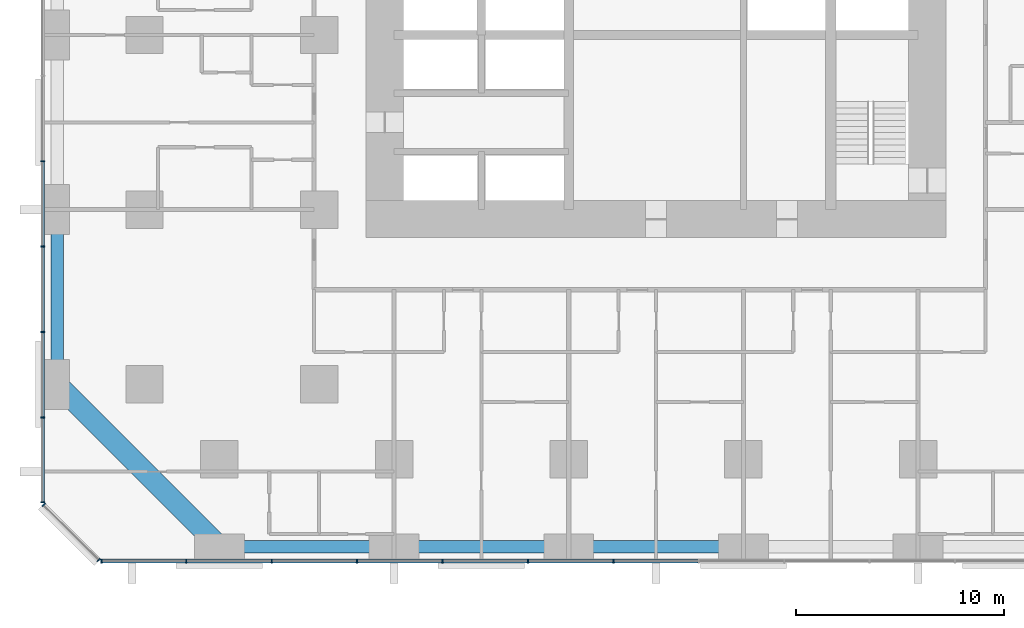
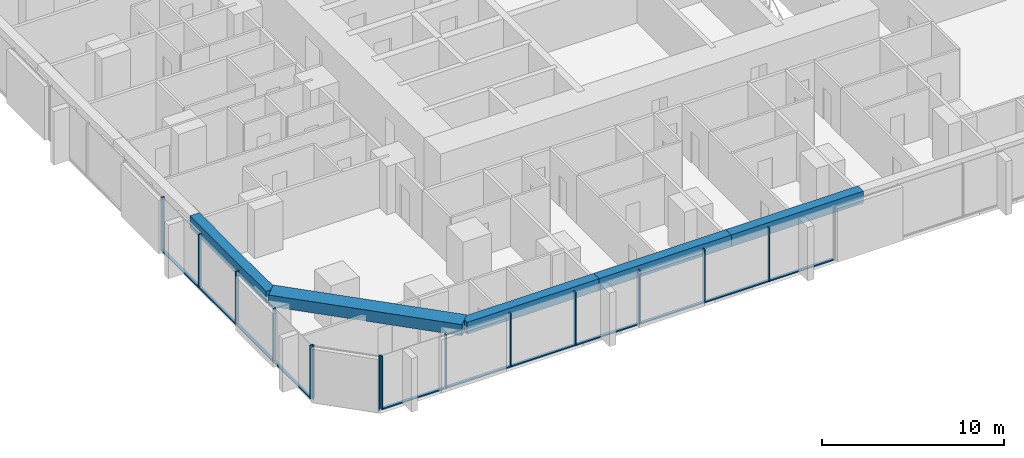
# One storey, part 2 of 17: 25 members, 5 beams, 3 elements without a shape of their own.
"""IFC4 building model written with IfcOpenShell, lengths in metres."""

from ifc_helpers import new_model, si_unit, direction, frame, origin, origin_2d, place, context, subcontext, project, spatial, rectangle, extrude, material, material_profile, profile_set, type_object, element, aggregate, save


model = new_model("IFC4")

# Units and contexts
model_context = context("Model", 3, precision=1e-05, world=origin(), true_north=direction((0.0, 1.0)))
body_context = subcontext(model_context, "Body", "Model", "MODEL_VIEW")
ifc_project = project(units=[si_unit("LENGTHUNIT", "METRE"), si_unit("AREAUNIT", "SQUARE_METRE"), si_unit("VOLUMEUNIT", "CUBIC_METRE"), si_unit("PLANEANGLEUNIT", "RADIAN"), si_unit("MASSUNIT", "GRAM", prefix="KILO")], contexts=[model_context])

# Site, building, storey
site_placement = place(None, origin())
site = spatial("IfcSite", under=ifc_project, at=site_placement, CompositionType="ELEMENT")
building_placement = place(site_placement, origin())
building = spatial("IfcBuilding", under=site, at=building_placement, Name="Dunama Terrace Hotel", CompositionType="ELEMENT")
storey_placement = place(building_placement, frame((0.0, 0.0, 45.0)))
storey = spatial("IfcBuildingStorey", under=building, at=storey_placement, Name="L10", CompositionType="ELEMENT", Elevation=45.0)

# Curtain wall, members
ifc_material_1 = material(Name="Aluminium curtain wall system", Category="aluminium")
curtain_wall_type = type_object("IfcCurtainWallType", Name="Unitised fritted glass wall CW-A", PredefinedType="NOTDEFINED", material=ifc_material_1)
curtain_wall_1_placement = place(storey_placement, origin())
curtain_wall_1 = element("IfcCurtainWall", 1, at=curtain_wall_1_placement, inside=storey, type_object=curtain_wall_type, Name="Unitised fritted glass wall CW-A L10", PredefinedType="NOTDEFINED")
ifc_material_2 = material(Name="Aluminium mullion", Category="aluminium")
ifc_material_profile_1 = material_profile(ifc_material_2, rectangle(XDim=0.06494140625, YDim=0.199951171875, at=origin_2d()), Name="CWA MULLION 65X200")
ifc_profile_set_1 = profile_set([ifc_material_profile_1], Name="Aluminium mullion")
member_type_1 = type_object("IfcMemberType", Name="CWA mullion 65x200", PredefinedType="MULLION", material=ifc_profile_set_1)
member_1_placement = place(storey_placement, frame((2.73291015625, -0.10009765625, 0.0), z_axis=(0.0, 0.0, 1.0), x_axis=(1.0, 0.0, 0.0)))
member_1 = element("IfcMember", 2, at=member_1_placement, type_object=member_type_1, Name="CWA mullion", PredefinedType="MULLION", context=body_context, shape_type="SweptSolid", body=[
    extrude(rectangle(XDim=0.06494140625, YDim=0.199951171875, at=origin_2d()), origin(), (0.0, 0.0, 1.0), 3.60009765625),
])
member_2_placement = place(storey_placement, frame((6.80810546875, -0.10009765625, 0.0), z_axis=(0.0, 0.0, 1.0), x_axis=(1.0, 0.0, 0.0)))
member_2 = element("IfcMember", 3, at=member_2_placement, type_object=member_type_1, Name="CWA mullion", PredefinedType="MULLION", context=body_context, shape_type="SweptSolid", body=[
    extrude(rectangle(XDim=0.06494140625, YDim=0.199951171875, at=origin_2d()), origin(), (0.0, 0.0, 1.0), 3.60009765625),
])
member_3_placement = place(storey_placement, frame((10.9150390625, -0.10009765625, 0.0), z_axis=(0.0, 0.0, 1.0), x_axis=(1.0, 0.0, 0.0)))
member_3 = element("IfcMember", 4, at=member_3_placement, type_object=member_type_1, Name="CWA mullion", PredefinedType="MULLION", context=body_context, shape_type="SweptSolid", body=[
    extrude(rectangle(XDim=0.06494140625, YDim=0.199951171875, at=origin_2d()), origin(), (0.0, 0.0, 1.0), 3.60009765625),
])
member_4_placement = place(storey_placement, frame((15.02294921875, -0.10009765625, 0.0), z_axis=(0.0, 0.0, 1.0), x_axis=(1.0, 0.0, 0.0)))
member_4 = element("IfcMember", 5, at=member_4_placement, type_object=member_type_1, Name="CWA mullion", PredefinedType="MULLION", context=body_context, shape_type="SweptSolid", body=[
    extrude(rectangle(XDim=0.06494140625, YDim=0.199951171875, at=origin_2d()), origin(), (0.0, 0.0, 1.0), 3.60009765625),
])
member_5_placement = place(storey_placement, frame((19.131103515625, -0.10009765625, 0.0), z_axis=(0.0, 0.0, 1.0), x_axis=(1.0, 0.0, 0.0)))
member_5 = element("IfcMember", 6, at=member_5_placement, type_object=member_type_1, Name="CWA mullion", PredefinedType="MULLION", context=body_context, shape_type="SweptSolid", body=[
    extrude(rectangle(XDim=0.06494140625, YDim=0.199951171875, at=origin_2d()), origin(), (0.0, 0.0, 1.0), 3.60009765625),
])
member_6_placement = place(storey_placement, frame((23.238037109375, -0.10009765625, 0.0), z_axis=(0.0, 0.0, 1.0), x_axis=(1.0, 0.0, 0.0)))
member_6 = element("IfcMember", 7, at=member_6_placement, type_object=member_type_1, Name="CWA mullion", PredefinedType="MULLION", context=body_context, shape_type="SweptSolid", body=[
    extrude(rectangle(XDim=0.06494140625, YDim=0.199951171875, at=origin_2d()), origin(), (0.0, 0.0, 1.0), 3.60009765625),
])
member_7_placement = place(storey_placement, frame((27.345947265625, -0.10009765625, 0.0), z_axis=(0.0, 0.0, 1.0), x_axis=(1.0, 0.0, 0.0)))
member_7 = element("IfcMember", 8, at=member_7_placement, type_object=member_type_1, Name="CWA mullion", PredefinedType="MULLION", context=body_context, shape_type="SweptSolid", body=[
    extrude(rectangle(XDim=0.06494140625, YDim=0.199951171875, at=origin_2d()), origin(), (0.0, 0.0, 1.0), 3.60009765625),
])

curtain_wall_2_placement = place(storey_placement, origin())
curtain_wall_2 = element("IfcCurtainWall", 9, at=curtain_wall_2_placement, inside=storey, type_object=curtain_wall_type, Name="Unitised fritted glass wall CW-A L10", PredefinedType="NOTDEFINED")
member_8_placement = place(storey_placement, frame((-0.10009765625, 19.131103515625, 0.0), z_axis=(0.0, 0.0, 1.0), x_axis=(0.0, -1.0, 0.0)))
member_8 = element("IfcMember", 10, at=member_8_placement, type_object=member_type_1, Name="CWA mullion", PredefinedType="MULLION", context=body_context, shape_type="SweptSolid", body=[
    extrude(rectangle(XDim=0.06494140625, YDim=0.199951171875, at=origin_2d()), origin(), (0.0, 0.0, 1.0), 3.60009765625),
])
member_9_placement = place(storey_placement, frame((-0.10009765625, 15.02294921875, 0.0), z_axis=(0.0, 0.0, 1.0), x_axis=(0.0, -1.0, 0.0)))
member_9 = element("IfcMember", 11, at=member_9_placement, type_object=member_type_1, Name="CWA mullion", PredefinedType="MULLION", context=body_context, shape_type="SweptSolid", body=[
    extrude(rectangle(XDim=0.06494140625, YDim=0.199951171875, at=origin_2d()), origin(), (0.0, 0.0, 1.0), 3.60009765625),
])
member_10_placement = place(storey_placement, frame((-0.10009765625, 10.9150390625, 0.0), z_axis=(0.0, 0.0, 1.0), x_axis=(0.0, -1.0, 0.0)))
member_10 = element("IfcMember", 12, at=member_10_placement, type_object=member_type_1, Name="CWA mullion", PredefinedType="MULLION", context=body_context, shape_type="SweptSolid", body=[
    extrude(rectangle(XDim=0.06494140625, YDim=0.199951171875, at=origin_2d()), origin(), (0.0, 0.0, 1.0), 3.60009765625),
])
member_11_placement = place(storey_placement, frame((-0.10009765625, 6.80810546875, 0.0), z_axis=(0.0, 0.0, 1.0), x_axis=(0.0, -1.0, 0.0)))
member_11 = element("IfcMember", 13, at=member_11_placement, type_object=member_type_1, Name="CWA mullion", PredefinedType="MULLION", context=body_context, shape_type="SweptSolid", body=[
    extrude(rectangle(XDim=0.06494140625, YDim=0.199951171875, at=origin_2d()), origin(), (0.0, 0.0, 1.0), 3.60009765625),
])
member_12_placement = place(storey_placement, frame((-0.10009765625, 2.73291015625, 0.0), z_axis=(0.0, 0.0, 1.0), x_axis=(0.0, -1.0, 0.0)))
member_12 = element("IfcMember", 14, at=member_12_placement, type_object=member_type_1, Name="CWA mullion", PredefinedType="MULLION", context=body_context, shape_type="SweptSolid", body=[
    extrude(rectangle(XDim=0.06494140625, YDim=0.199951171875, at=origin_2d()), origin(), (0.0, 0.0, 1.0), 3.60009765625),
])

curtain_wall_3_placement = place(storey_placement, origin())
curtain_wall_3 = element("IfcCurtainWall", 15, at=curtain_wall_3_placement, inside=storey, type_object=curtain_wall_type, Name="Unitised fritted glass wall CW-A L10", PredefinedType="NOTDEFINED")
member_13_placement = place(storey_placement, frame((-0.048095703125, 2.60595703125, 0.0), z_axis=(0.0, 0.0, 1.0), x_axis=(0.707106781187, -0.707106781187, 0.0)))
member_13 = element("IfcMember", 16, at=member_13_placement, type_object=member_type_1, Name="CWA mullion", PredefinedType="MULLION", context=body_context, shape_type="SweptSolid", body=[
    extrude(rectangle(XDim=0.06494140625, YDim=0.199951171875, at=origin_2d()), origin(), (0.0, 0.0, 1.0), 3.60009765625),
])
member_14_placement = place(storey_placement, frame((2.60595703125, -0.048095703125, 0.0), z_axis=(0.0, 0.0, 1.0), x_axis=(0.707106781187, -0.707106781187, 0.0)))
member_14 = element("IfcMember", 17, at=member_14_placement, type_object=member_type_1, Name="CWA mullion", PredefinedType="MULLION", context=body_context, shape_type="SweptSolid", body=[
    extrude(rectangle(XDim=0.06494140625, YDim=0.199951171875, at=origin_2d()), origin(), (0.0, 0.0, 1.0), 3.60009765625),
])
aggregate(curtain_wall_3, [member_13, member_14])

# Member
ifc_material_3 = material(Name="Aluminium transom", Category="aluminium")
ifc_material_profile_2 = material_profile(ifc_material_3, rectangle(XDim=0.179931640625, YDim=0.074951171875, at=origin_2d()), Name="CWA TRANSOM 180X75")
ifc_profile_set_2 = profile_set([ifc_material_profile_2], Name="Aluminium transom")
member_type_2 = type_object("IfcMemberType", Name="CWA transom 180x75", PredefinedType="USERDEFINED", material=ifc_profile_set_2)
member_15_placement = place(storey_placement, frame((2.764892578125, -0.10009765625, 0.03759765625), z_axis=(1.0, 0.0, 0.0), x_axis=(0.0, 1.0, 0.0)))
member_15 = element("IfcMember", 18, at=member_15_placement, type_object=member_type_2, Name="CWA transom", ObjectType="TRANSOM", PredefinedType="USERDEFINED", context=body_context, shape_type="SweptSolid", body=[
    extrude(rectangle(XDim=0.179931640625, YDim=0.074951171875, at=origin_2d()), origin(), (0.0, 0.0, 1.0), 4.010009765625),
])

member_16_placement = place(storey_placement, frame((6.840087890625, -0.10009765625, 0.03759765625), z_axis=(1.0, 0.0, 0.0), x_axis=(0.0, 1.0, 0.0)))
member_16 = element("IfcMember", 19, at=member_16_placement, type_object=member_type_2, Name="CWA transom", ObjectType="TRANSOM", PredefinedType="USERDEFINED", context=body_context, shape_type="SweptSolid", body=[
    extrude(rectangle(XDim=0.179931640625, YDim=0.074951171875, at=origin_2d()), origin(), (0.0, 0.0, 1.0), 4.04296875),
])

member_17_placement = place(storey_placement, frame((10.947998046875, -0.10009765625, 0.03759765625), z_axis=(1.0, 0.0, 0.0), x_axis=(0.0, 1.0, 0.0)))
member_17 = element("IfcMember", 20, at=member_17_placement, type_object=member_type_2, Name="CWA transom", ObjectType="TRANSOM", PredefinedType="USERDEFINED", context=body_context, shape_type="SweptSolid", body=[
    extrude(rectangle(XDim=0.179931640625, YDim=0.074951171875, at=origin_2d()), origin(), (0.0, 0.0, 1.0), 4.04296875),
])

member_18_placement = place(storey_placement, frame((15.055908203125, -0.10009765625, 0.03759765625), z_axis=(1.0, 0.0, 0.0), x_axis=(0.0, 1.0, 0.0)))
member_18 = element("IfcMember", 21, at=member_18_placement, type_object=member_type_2, Name="CWA transom", ObjectType="TRANSOM", PredefinedType="USERDEFINED", context=body_context, shape_type="SweptSolid", body=[
    extrude(rectangle(XDim=0.179931640625, YDim=0.074951171875, at=origin_2d()), origin(), (0.0, 0.0, 1.0), 4.0419921875),
])

member_19_placement = place(storey_placement, frame((19.1630859375, -0.10009765625, 0.03759765625), z_axis=(1.0, 0.0, 0.0), x_axis=(0.0, 1.0, 0.0)))
member_19 = element("IfcMember", 22, at=member_19_placement, type_object=member_type_2, Name="CWA transom", ObjectType="TRANSOM", PredefinedType="USERDEFINED", context=body_context, shape_type="SweptSolid", body=[
    extrude(rectangle(XDim=0.179931640625, YDim=0.074951171875, at=origin_2d()), origin(), (0.0, 0.0, 1.0), 4.04296875),
])

member_20_placement = place(storey_placement, frame((23.27099609375, -0.10009765625, 0.03759765625), z_axis=(1.0, 0.0, 0.0), x_axis=(0.0, 1.0, 0.0)))
member_20 = element("IfcMember", 23, at=member_20_placement, type_object=member_type_2, Name="CWA transom", ObjectType="TRANSOM", PredefinedType="USERDEFINED", context=body_context, shape_type="SweptSolid", body=[
    extrude(rectangle(XDim=0.179931640625, YDim=0.074951171875, at=origin_2d()), origin(), (0.0, 0.0, 1.0), 4.04296875),
])

member_21_placement = place(storey_placement, frame((27.37890625, -0.10009765625, 0.03759765625), z_axis=(1.0, 0.0, 0.0), x_axis=(0.0, 1.0, 0.0)))
member_21 = element("IfcMember", 24, at=member_21_placement, type_object=member_type_2, Name="CWA transom", ObjectType="TRANSOM", PredefinedType="USERDEFINED", context=body_context, shape_type="SweptSolid", body=[
    extrude(rectangle(XDim=0.179931640625, YDim=0.074951171875, at=origin_2d()), origin(), (0.0, 0.0, 1.0), 4.0419921875),
])

aggregate(curtain_wall_1, [member_1, member_2, member_3, member_4, member_5, member_6, member_7, member_15, member_16, member_17, member_18, member_19, member_20, member_21])

member_22_placement = place(storey_placement, frame((-0.10009765625, 19.097900390625, 0.03759765625), z_axis=(0.0, -1.0, 0.0), x_axis=(1.0, 0.0, 0.0)))
member_22 = element("IfcMember", 25, at=member_22_placement, type_object=member_type_2, Name="CWA transom", ObjectType="TRANSOM", PredefinedType="USERDEFINED", context=body_context, shape_type="SweptSolid", body=[
    extrude(rectangle(XDim=0.179931640625, YDim=0.074951171875, at=origin_2d()), origin(), (0.0, 0.0, 1.0), 4.0419921875),
])

member_23_placement = place(storey_placement, frame((-0.10009765625, 14.990966796875, 0.03759765625), z_axis=(0.0, -1.0, 0.0), x_axis=(1.0, 0.0, 0.0)))
member_23 = element("IfcMember", 26, at=member_23_placement, type_object=member_type_2, Name="CWA transom", ObjectType="TRANSOM", PredefinedType="USERDEFINED", context=body_context, shape_type="SweptSolid", body=[
    extrude(rectangle(XDim=0.179931640625, YDim=0.074951171875, at=origin_2d()), origin(), (0.0, 0.0, 1.0), 4.04296875),
])

member_24_placement = place(storey_placement, frame((-0.10009765625, 10.883056640625, 0.03759765625), z_axis=(0.0, -1.0, 0.0), x_axis=(1.0, 0.0, 0.0)))
member_24 = element("IfcMember", 27, at=member_24_placement, type_object=member_type_2, Name="CWA transom", ObjectType="TRANSOM", PredefinedType="USERDEFINED", context=body_context, shape_type="SweptSolid", body=[
    extrude(rectangle(XDim=0.179931640625, YDim=0.074951171875, at=origin_2d()), origin(), (0.0, 0.0, 1.0), 4.04296875),
])

member_25_placement = place(storey_placement, frame((-0.10009765625, 6.77490234375, 0.03759765625), z_axis=(0.0, -1.0, 0.0), x_axis=(1.0, 0.0, 0.0)))
member_25 = element("IfcMember", 28, at=member_25_placement, type_object=member_type_2, Name="CWA transom", ObjectType="TRANSOM", PredefinedType="USERDEFINED", context=body_context, shape_type="SweptSolid", body=[
    extrude(rectangle(XDim=0.179931640625, YDim=0.074951171875, at=origin_2d()), origin(), (0.0, 0.0, 1.0), 4.010009765625),
])

aggregate(curtain_wall_2, [member_8, member_9, member_10, member_11, member_12, member_22, member_23, member_24, member_25])

# Beams
ifc_material_4 = material(Name="Concrete C50/60", Category="concrete")
ifc_material_profile_3 = material_profile(ifc_material_4, rectangle(XDim=1.0, YDim=0.75, at=origin_2d()), Name="RC 1000x750")
ifc_profile_set_3 = profile_set([ifc_material_profile_3], Name="Concrete C50/60")
beam_type_1 = type_object("IfcBeamType", Name="Edge beam RC 1000x750", PredefinedType="SPANDREL", material=ifc_profile_set_3)
beam_1_placement = place(storey_placement, frame((8.39990234375, 0.60009765625, 3.22509765625), z_axis=(-0.707106781187, 0.707106781187, 0.0), x_axis=(-0.707106781187, -0.707106781187, 0.0)))
element("IfcBeam", 29, at=beam_1_placement, inside=storey, type_object=beam_type_1, Name="Corner edge beam under L11", PredefinedType="SPANDREL", context=body_context, shape_type="SweptSolid", body=[
    extrude(rectangle(XDim=1.0, YDim=0.75, at=origin_2d()), origin(), (0.0, 0.0, 1.0), 11.030517578125),
])
ifc_material_5 = material(Name="Concrete C40/50", Category="concrete")
ifc_material_profile_4 = material_profile(ifc_material_5, rectangle(XDim=0.60009765625, YDim=0.800048828125, at=origin_2d()), Name="RC 600x800")
ifc_profile_set_4 = profile_set([ifc_material_profile_4], Name="Concrete C40/50")
beam_type_2 = type_object("IfcBeamType", Name="Edge beam RC 600x800", PredefinedType="SPANDREL", material=ifc_profile_set_4)
for number, where, z_axis, x_axis, name in (
    (30, (0.60009765625, 8.39990234375, 3.199951171875), (0.0, 1.0, 0.0), (-1.0, 0.0, 0.0), "Edge beam under L11"),
    (31, (8.39990234375, 0.60009765625, 3.199951171875), (1.0, 0.0, 0.0), (0.0, 1.0, 0.0), "Edge beam under L11"),
):
    element("IfcBeam", number, at=place(storey_placement, frame(where, z_axis=z_axis, x_axis=x_axis)), inside=storey, type_object=beam_type_2, Name=name, PredefinedType="SPANDREL", context=body_context, shape_type="SweptSolid", body=[
        extrude(rectangle(XDim=0.60009765625, YDim=0.800048828125, at=origin_2d()), origin(), (0.0, 0.0, 1.0), 8.400146484375),
    ])
beam_2_placement = place(storey_placement, frame((16.800048828125, 0.60009765625, 3.199951171875), z_axis=(1.0, 0.0, 0.0), x_axis=(0.0, 1.0, 0.0)))
element("IfcBeam", 32, at=beam_2_placement, inside=storey, type_object=beam_type_2, Name="Edge beam under L11", PredefinedType="SPANDREL", context=body_context, shape_type="SweptSolid", body=[
    extrude(rectangle(XDim=0.60009765625, YDim=0.800048828125, at=origin_2d()), origin(), (0.0, 0.0, 1.0), 8.39990234375),
])
beam_3_placement = place(storey_placement, frame((25.199951171875, 0.60009765625, 3.199951171875), z_axis=(1.0, 0.0, 0.0), x_axis=(0.0, 1.0, 0.0)))
element("IfcBeam", 33, at=beam_3_placement, inside=storey, type_object=beam_type_2, Name="Edge beam under L11", PredefinedType="SPANDREL", context=body_context, shape_type="SweptSolid", body=[
    extrude(rectangle(XDim=0.60009765625, YDim=0.800048828125, at=origin_2d()), origin(), (0.0, 0.0, 1.0), 8.400146484375),
])

save(model, "model.ifc")
